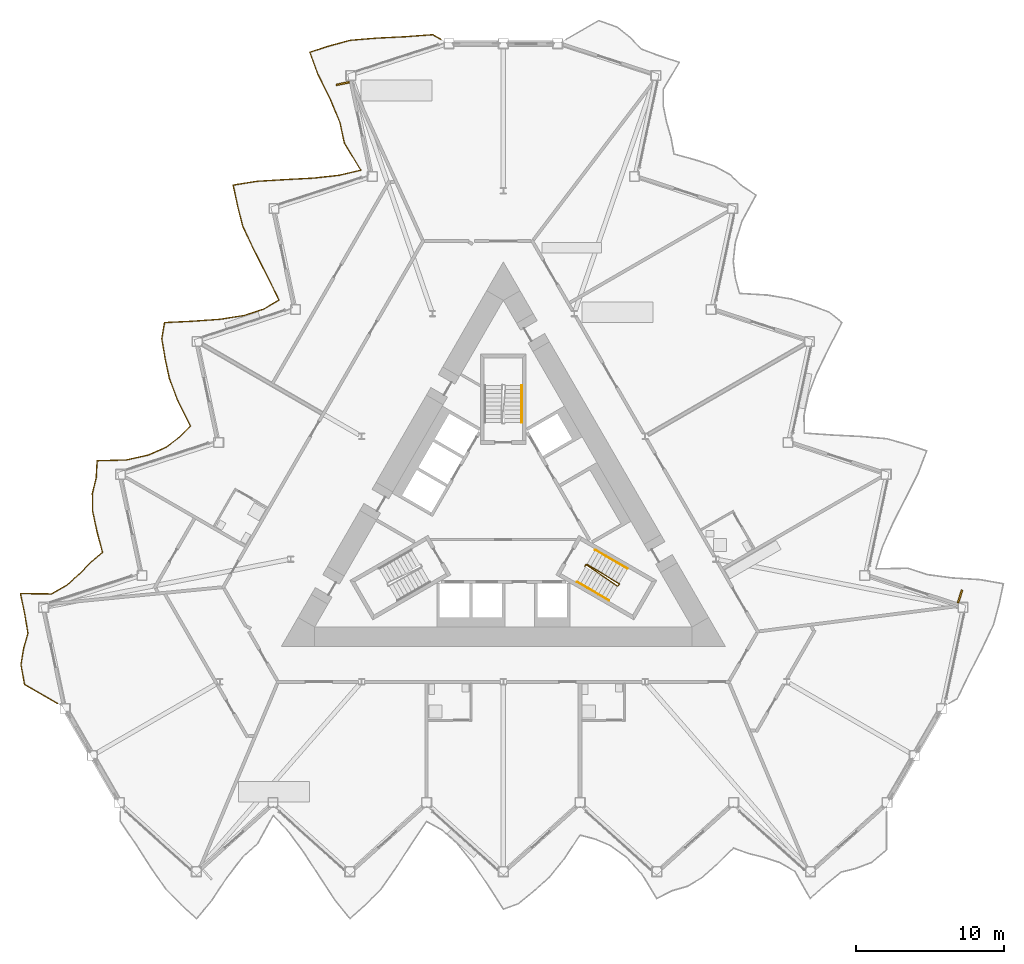
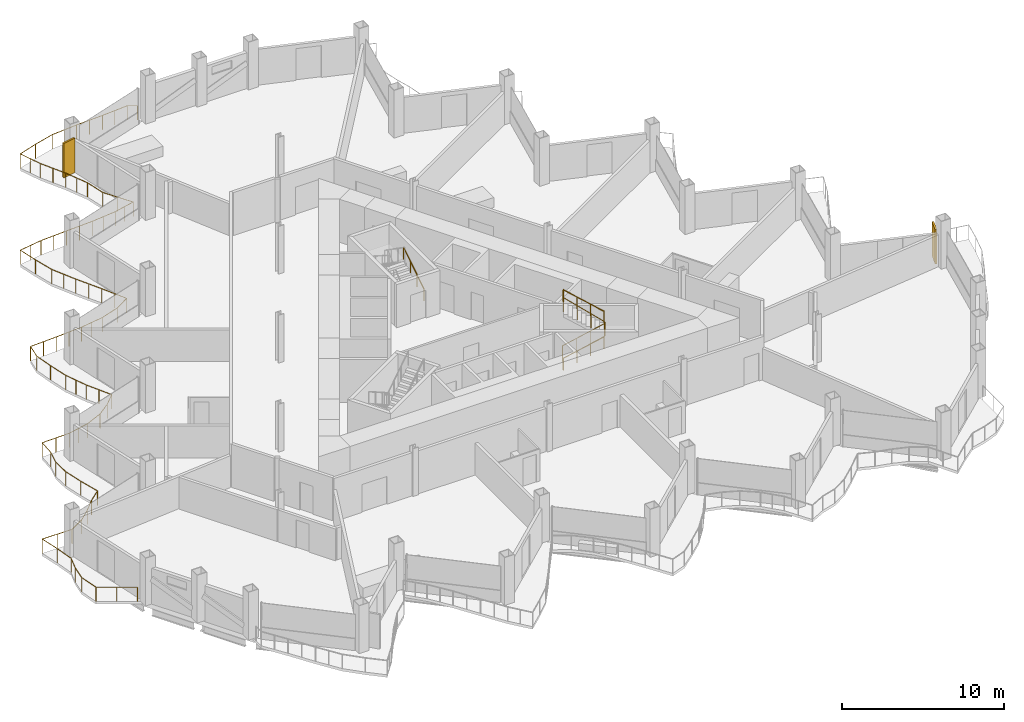
# One storey, part 20 of 23: 5 railings, 2 shading devices.
"""IFC4 building model written with IfcOpenShell, lengths in metres."""

from ifc_helpers import new_model, si_unit, direction, frame, origin, origin_2d, place, context, subcontext, project, spatial, rectangle, circle, extrude, material, layer, layer_set, type_object, element, save


model = new_model("IFC4")

# Units and contexts
model_context = context("Model", 3, precision=1e-05, world=origin(), true_north=direction((0.0, 1.0)))
body_context = subcontext(model_context, "Body", "Model", "MODEL_VIEW")
ifc_project = project(units=[si_unit("LENGTHUNIT", "METRE"), si_unit("AREAUNIT", "SQUARE_METRE"), si_unit("VOLUMEUNIT", "CUBIC_METRE"), si_unit("PLANEANGLEUNIT", "RADIAN"), si_unit("MASSUNIT", "GRAM", prefix="KILO")], contexts=[model_context])

# Site, building, storey
site_placement = place(None, origin())
site = spatial("IfcSite", under=ifc_project, at=site_placement, CompositionType="ELEMENT")
building_placement = place(site_placement, origin())
building = spatial("IfcBuilding", under=site, at=building_placement, Name="Cormorant Prow Tower", CompositionType="ELEMENT")
storey_placement = place(building_placement, frame((0.0, 0.0, 267.0)))
storey = spatial("IfcBuildingStorey", under=building, at=storey_placement, Name="L60", CompositionType="ELEMENT", Elevation=267.0)

# Railings
ifc_material_1 = material(Name="Aluminium 6063-T6", Category="aluminium")
railing_type_1 = type_object("IfcRailingType", Name="Balcony guard 1100", PredefinedType="GUARDRAIL", material=ifc_material_1)
railing_1_placement = place(storey_placement, frame((-4.221923828125, 32.35986328125, 0.0)))
element("IfcRailing", 1, at=railing_1_placement, inside=storey, type_object=railing_type_1, Name="Balcony guard WNW", PredefinedType="GUARDRAIL", context=body_context, shape_type="SweptSolid", body=[
    extrude(circle(Radius=0.02392578125, at=origin_2d()), frame((0.0, 0.0, 1.076171875), z_axis=(-0.866038622153, 0.499977104415, 0.0), x_axis=(-0.499977104415, -0.866038622153, 0.0)), (0.0, 0.0, 1.0), 0.63623046875),
    extrude(circle(Radius=0.02392578125, at=origin_2d()), frame((-0.551025390625, 0.318115234375, 1.076171875), z_axis=(-0.997252183706, -0.07408159079, 0.0), x_axis=(0.07408159079, -0.997252183706, 0.0)), (0.0, 0.0, 1.0), 1.84228515625),
    extrude(circle(Radius=0.02392578125, at=origin_2d()), frame((-2.38818359375, 0.181640625, 1.076171875), z_axis=(-0.998818248783, -0.048601500994, 0.0), x_axis=(0.048601500994, -0.998818248783, 0.0)), (0.0, 0.0, 1.0), 1.913818359375),
    extrude(circle(Radius=0.02392578125, at=origin_2d()), frame((-4.2998046875, 0.088623046875, 1.076171875), z_axis=(-0.996651256023, -0.081769639028, 0.0), x_axis=(0.081769639028, -0.996651256023, 0.0)), (0.0, 0.0, 1.0), 1.8212890625),
    extrude(circle(Radius=0.02392578125, at=origin_2d()), frame((-6.114990234375, -0.060302734375, 1.076171875), z_axis=(-0.966057905436, -0.258325614961, 0.0), x_axis=(0.258325614961, -0.966057905436, 0.0)), (0.0, 0.0, 1.0), 1.466796875),
    extrude(circle(Radius=0.02392578125, at=origin_2d()), frame((-7.531982421875, -0.439208984375, 1.076171875), z_axis=(-0.951071368511, -0.308971280217, 0.0), x_axis=(0.308971280217, -0.951071368511, 0.0)), (0.0, 0.0, 1.0), 1.394775390625),
    extrude(circle(Radius=0.02392578125, at=origin_2d()), frame((-8.8583984375, -0.8701171875, 1.076171875), z_axis=(0.342301918831, -0.939590015041, 0.0), x_axis=(0.939590015041, 0.342301918831, 0.0)), (0.0, 0.0, 1.0), 1.61328125),
    extrude(circle(Radius=0.02392578125, at=origin_2d()), frame((-8.30615234375, -2.385986328125, 1.076171875), z_axis=(0.445808104331, -0.89512855731, 0.0), x_axis=(0.89512855731, 0.445808104331, 0.0)), (0.0, 0.0, 1.0), 1.876708984375),
    extrude(circle(Radius=0.02392578125, at=origin_2d()), frame((-7.469482421875, -4.06591796875, 1.076171875), z_axis=(0.382127870627, -0.924109458068, 0.0), x_axis=(0.924109458068, 0.382127870627, 0.0)), (0.0, 0.0, 1.0), 1.701416015625),
    extrude(circle(Radius=0.02392578125, at=origin_2d()), frame((-6.8193359375, -5.63818359375, 1.076171875), z_axis=(0.207950868925, -0.97813927235, 0.0), x_axis=(0.97813927235, 0.207950868925, 0.0)), (0.0, 0.0, 1.0), 1.394775390625),
    extrude(circle(Radius=0.02392578125, at=origin_2d()), frame((-6.529296875, -7.00244140625, 1.076171875), z_axis=(0.517516055805, -0.855673496133, 0.0), x_axis=(0.855673496133, 0.517516055805, 0.0)), (0.0, 0.0, 1.0), 2.1494140625),
    extrude(circle(Radius=0.02392578125, at=origin_2d()), frame((-5.4169921875, -8.841552734375, 1.076171875), z_axis=(-0.973480606054, -0.228769555748, 0.0), x_axis=(0.228769555748, -0.973480606054, 0.0)), (0.0, 0.0, 1.0), 1.51318359375),
    extrude(circle(Radius=0.02392578125, at=origin_2d()), frame((-6.89013671875, -9.187744140625, 1.076171875), z_axis=(-0.994245905296, -0.107121798908, 0.0), x_axis=(0.107121798908, -0.994245905296, 0.0)), (0.0, 0.0, 1.0), 1.757080078125),
    extrude(circle(Radius=0.02392578125, at=origin_2d()), frame((-8.63720703125, -9.3759765625, 1.076171875), z_axis=(-0.998577796934, -0.053314008199, 0.0), x_axis=(0.053314008199, -0.998577796934, 0.0)), (0.0, 0.0, 1.0), 1.900390625),
    extrude(circle(Radius=0.02392578125, at=origin_2d()), frame((-10.534912109375, -9.477294921875, 1.076171875), z_axis=(-0.998269008558, -0.058813149479, 0.0), x_axis=(0.058813149479, -0.998269008558, 0.0)), (0.0, 0.0, 1.0), 1.884521484375),
    extrude(circle(Radius=0.02392578125, at=origin_2d()), frame((-12.416259765625, -9.588134765625, 1.076171875), z_axis=(-0.987578213313, -0.157128204312, 0.0), x_axis=(0.157128204312, -0.987578213313, 0.0)), (0.0, 0.0, 1.0), 1.6455078125),
    extrude(circle(Radius=0.02392578125, at=origin_2d()), frame((-14.041259765625, -9.8466796875, 1.076171875), z_axis=(0.207915270313, -0.978146839882, 0.0), x_axis=(0.978146839882, 0.207915270313, 0.0)), (0.0, 0.0, 1.0), 1.39501953125),
    extrude(circle(Radius=0.02392578125, at=origin_2d()), frame((-13.751220703125, -11.211181640625, 1.076171875), z_axis=(0.244007487503, -0.969773347769, 0.0), x_axis=(0.969773347769, 0.244007487503, 0.0)), (0.0, 0.0, 1.0), 1.44384765625),
    extrude(circle(Radius=0.02392578125, at=origin_2d()), frame((-13.39892578125, -12.611328125, 1.076171875), z_axis=(0.423018509945, -0.906121040614, 0.0), x_axis=(0.906121040614, 0.423018509945, 0.0)), (0.0, 0.0, 1.0), 1.80810546875),
    extrude(circle(Radius=0.02392578125, at=origin_2d()), frame((-12.634033203125, -14.249755859375, 1.076171875), z_axis=(0.456837444152, -0.88955019511, 0.0), x_axis=(0.88955019511, 0.456837444152, 0.0)), (0.0, 0.0, 1.0), 1.91259765625),
    extrude(circle(Radius=0.02392578125, at=origin_2d()), frame((-11.76025390625, -15.951171875, 1.076171875), z_axis=(0.438179627249, -0.898887431364, 0.0), x_axis=(0.898887431364, 0.438179627249, 0.0)), (0.0, 0.0, 1.0), 1.85302734375),
    extrude(circle(Radius=0.02392578125, at=origin_2d()), frame((-10.9482421875, -17.616943359375, 1.076171875), z_axis=(-0.85867024724, -0.51252844458, 0.0), x_axis=(0.51252844458, -0.85867024724, 0.0)), (0.0, 0.0, 1.0), 1.18701171875),
    extrude(circle(Radius=0.02392578125, at=origin_2d()), frame((-11.967529296875, -18.225341796875, 1.076171875), z_axis=(-0.950525193009, -0.310647481006, 0.0), x_axis=(0.310647481006, -0.950525193009, 0.0)), (0.0, 0.0, 1.0), 1.392578125),
    extrude(circle(Radius=0.02392578125, at=origin_2d()), frame((-13.291259765625, -18.657958984375, 1.076171875), z_axis=(-0.987845646319, -0.155438023173, 0.0), x_axis=(0.155438023173, -0.987845646319, 0.0)), (0.0, 0.0, 1.0), 1.649169921875),
    extrude(circle(Radius=0.02392578125, at=origin_2d()), frame((-14.92041015625, -18.914306640625, 1.076171875), z_axis=(-0.997487414246, -0.070843901792, 0.0), x_axis=(0.070843901792, -0.997487414246, 0.0)), (0.0, 0.0, 1.0), 1.8505859375),
    extrude(circle(Radius=0.02392578125, at=origin_2d()), frame((-16.766357421875, -19.04541015625, 1.076171875), z_axis=(-0.998798680168, -0.049002005006, 0.0), x_axis=(0.049002005006, -0.998798680168, 0.0)), (0.0, 0.0, 1.0), 1.9130859375),
    extrude(circle(Radius=0.02392578125, at=origin_2d()), frame((-18.67724609375, -19.13916015625, 1.076171875), z_axis=(-0.170240075116, -0.985402616611, 0.0), x_axis=(0.985402616611, -0.170240075116, 0.0)), (0.0, 0.0, 1.0), 1.104248046875),
    extrude(circle(Radius=0.02392578125, at=origin_2d()), frame((-18.865234375, -20.227294921875, 1.076171875), z_axis=(0.164870602885, -0.98631520535, 0.0), x_axis=(0.98631520535, 0.164870602885, 0.0)), (0.0, 0.0, 1.0), 1.343017578125),
    extrude(circle(Radius=0.02392578125, at=origin_2d()), frame((-18.643798828125, -21.552001953125, 1.076171875), z_axis=(0.207950868925, -0.97813927235, 0.0), x_axis=(0.97813927235, 0.207950868925, 0.0)), (0.0, 0.0, 1.0), 1.394775390625),
    extrude(circle(Radius=0.02392578125, at=origin_2d()), frame((-18.353759765625, -22.916259765625, 1.076171875), z_axis=(0.354110547545, -0.935203571484, 0.0), x_axis=(0.935203571484, 0.354110547545, 0.0)), (0.0, 0.0, 1.0), 1.63818359375),
    extrude(circle(Radius=0.02392578125, at=origin_2d()), frame((-17.773681640625, -24.4482421875, 1.076171875), z_axis=(0.447628498472, -0.894219619196, 0.0), x_axis=(0.894219619196, 0.447628498472, 0.0)), (0.0, 0.0, 1.0), 1.8828125),
    extrude(circle(Radius=0.02392578125, at=origin_2d()), frame((-16.930908203125, -26.1318359375, 1.076171875), z_axis=(-0.70368148947, -0.710515560264, 0.0), x_axis=(0.710515560264, -0.70368148947, 0.0)), (0.0, 0.0, 1.0), 1.07177734375),
    extrude(circle(Radius=0.02392578125, at=origin_2d()), frame((-17.68505859375, -26.893310546875, 1.076171875), z_axis=(-0.80023383706, -0.599688090614, 0.0), x_axis=(0.599688090614, -0.80023383706, 0.0)), (0.0, 0.0, 1.0), 1.127197265625),
    extrude(circle(Radius=0.02392578125, at=origin_2d()), frame((-18.587158203125, -27.5693359375, 1.076171875), z_axis=(-0.914742173533, -0.404038062514, 0.0), x_axis=(0.404038062514, -0.914742173533, 0.0)), (0.0, 0.0, 1.0), 1.283935546875),
    extrude(circle(Radius=0.02392578125, at=origin_2d()), frame((-19.76171875, -28.088134765625, 1.076171875), z_axis=(-0.975543857854, -0.219804871198, 0.0), x_axis=(0.219804871198, -0.975543857854, 0.0)), (0.0, 0.0, 1.0), 1.5283203125),
    extrude(circle(Radius=0.02392578125, at=origin_2d()), frame((-21.252685546875, -28.424072265625, 1.076171875), z_axis=(-0.999669650933, -0.025701926073, 0.0), x_axis=(0.025701926073, -0.999669650933, 0.0)), (0.0, 0.0, 1.0), 1.9853515625),
    extrude(circle(Radius=0.02392578125, at=origin_2d()), frame((-23.2373046875, -28.47509765625, 1.076171875), z_axis=(-0.05161179347, -0.99866722324, 0.0), x_axis=(0.99866722324, -0.05161179347, 0.0)), (0.0, 0.0, 1.0), 1.16357421875),
    extrude(circle(Radius=0.02392578125, at=origin_2d()), frame((-23.29736328125, -29.63720703125, 1.076171875), z_axis=(-0.239606484682, -0.970870090434, 0.0), x_axis=(0.970870090434, -0.239606484682, 0.0)), (0.0, 0.0, 1.0), 1.0791015625),
    extrude(circle(Radius=0.02392578125, at=origin_2d()), frame((-23.555908203125, -30.684814453125, 1.076171875), z_axis=(0.016162770239, -0.999869373898, 0.0), x_axis=(0.999869373898, 0.016162770239, 0.0)), (0.0, 0.0, 1.0), 1.20849609375),
    extrude(circle(Radius=0.02392578125, at=origin_2d()), frame((-23.536376953125, -31.89306640625, 1.076171875), z_axis=(0.207783386439, -0.978174863877, 0.0), x_axis=(0.978174863877, 0.207783386439, 0.0)), (0.0, 0.0, 1.0), 1.394775390625),
    extrude(circle(Radius=0.02392578125, at=origin_2d()), frame((-23.24658203125, -33.25732421875, 1.076171875), z_axis=(0.255915517347, -0.966699150709, 0.0), x_axis=(0.966699150709, 0.255915517347, 0.0)), (0.0, 0.0, 1.0), 1.46142578125),
    extrude(circle(Radius=0.02392578125, at=origin_2d()), frame((-22.87255859375, -34.670166015625, 1.076171875), z_axis=(-0.763604840308, -0.645683860615, 0.0), x_axis=(0.645683860615, -0.763604840308, 0.0)), (0.0, 0.0, 1.0), 1.101318359375),
    extrude(circle(Radius=0.02392578125, at=origin_2d()), frame((-23.713623046875, -35.38134765625, 1.076171875), z_axis=(-0.69419056016, -0.719791265704, 0.0), x_axis=(0.719791265704, -0.69419056016, 0.0)), (0.0, 0.0, 1.0), 1.068115234375),
    extrude(circle(Radius=0.02392578125, at=origin_2d()), frame((-24.455078125, -36.150146484375, 1.076171875), z_axis=(-0.745492878941, -0.666513591346, 0.0), x_axis=(0.666513591346, -0.745492878941, 0.0)), (0.0, 0.0, 1.0), 1.09130859375),
    extrude(circle(Radius=0.02392578125, at=origin_2d()), frame((-25.2685546875, -36.87744140625, 1.076171875), z_axis=(-0.865402994616, -0.501076498062, 0.0), x_axis=(0.501076498062, -0.865402994616, 0.0)), (0.0, 0.0, 1.0), 1.196044921875),
    extrude(circle(Radius=0.02392578125, at=origin_2d()), frame((-26.3037109375, -37.476806640625, 1.076171875), z_axis=(-0.999929423443, 0.011880577992, 0.0), x_axis=(-0.011880577992, -0.999929423443, 0.0)), (0.0, 0.0, 1.0), 2.11669921875),
    extrude(circle(Radius=0.02392578125, at=origin_2d()), frame((-28.420166015625, -37.45166015625, 1.076171875), z_axis=(0.207915270313, -0.978146839882, 0.0), x_axis=(0.978146839882, 0.207915270313, 0.0)), (0.0, 0.0, 1.0), 1.39501953125),
    extrude(circle(Radius=0.02392578125, at=origin_2d()), frame((-28.130126953125, -38.816162109375, 1.076171875), z_axis=(0.162804101421, -0.986658413313, 0.0), x_axis=(0.986658413313, 0.162804101421, 0.0)), (0.0, 0.0, 1.0), 1.340576171875),
    extrude(circle(Radius=0.02392578125, at=origin_2d()), frame((-27.911865234375, -40.138916015625, 1.076171875), z_axis=(-0.273906383343, -0.961756358525, 0.0), x_axis=(0.961756358525, -0.273906383343, 0.0)), (0.0, 0.0, 1.0), 1.068603515625),
    extrude(circle(Radius=0.02392578125, at=origin_2d()), frame((-28.20458984375, -41.166748046875, 1.076171875), z_axis=(-0.15961312276, -0.987179644767, 0.0), x_axis=(0.987179644767, -0.15961312276, 0.0)), (0.0, 0.0, 1.0), 1.10888671875),
    extrude(circle(Radius=0.02392578125, at=origin_2d()), frame((-28.381591796875, -42.261474609375, 1.076171875), z_axis=(0.178426863528, -0.98395317692, 0.0), x_axis=(0.98395317692, 0.178426863528, 0.0)), (0.0, 0.0, 1.0), 1.358642578125),
    extrude(circle(Radius=0.02392578125, at=origin_2d()), frame((-28.13916015625, -43.598388671875, 1.076171875), z_axis=(0.866030548046, -0.499991089772, 0.0), x_axis=(0.499991089772, 0.866030548046, 0.0)), (0.0, 0.0, 1.0), 2.56982421875),
    extrude(circle(Radius=0.02099609375, at=origin_2d()), origin(), (0.0, 0.0, 1.0), 1.052001953125),
    extrude(circle(Radius=0.02099609375, at=origin_2d()), frame((-0.551025390625, 0.318115234375, 0.0)), (0.0, 0.0, 1.0), 1.052001953125),
    extrude(circle(Radius=0.02099609375, at=origin_2d()), frame((-1.4697265625, 0.25, 0.0)), (0.0, 0.0, 1.0), 1.052001953125),
    extrude(circle(Radius=0.02099609375, at=origin_2d()), frame((-2.38818359375, 0.181640625, 0.0)), (0.0, 0.0, 1.0), 1.052001953125),
    extrude(circle(Radius=0.02099609375, at=origin_2d()), frame((-3.343994140625, 0.13525390625, 0.0)), (0.0, 0.0, 1.0), 1.052001953125),
    extrude(circle(Radius=0.02099609375, at=origin_2d()), frame((-4.2998046875, 0.088623046875, 0.0)), (0.0, 0.0, 1.0), 1.052001953125),
    extrude(circle(Radius=0.02099609375, at=origin_2d()), frame((-5.20751953125, 0.01416015625, 0.0)), (0.0, 0.0, 1.0), 1.052001953125),
    extrude(circle(Radius=0.02099609375, at=origin_2d()), frame((-6.114990234375, -0.060302734375, 0.0)), (0.0, 0.0, 1.0), 1.052001953125),
    extrude(circle(Radius=0.02099609375, at=origin_2d()), frame((-7.531982421875, -0.439208984375, 0.0)), (0.0, 0.0, 1.0), 1.052001953125),
    extrude(circle(Radius=0.02099609375, at=origin_2d()), frame((-8.8583984375, -0.8701171875, 0.0)), (0.0, 0.0, 1.0), 1.052001953125),
    extrude(circle(Radius=0.02099609375, at=origin_2d()), frame((-8.582275390625, -1.6279296875, 0.0)), (0.0, 0.0, 1.0), 1.052001953125),
    extrude(circle(Radius=0.02099609375, at=origin_2d()), frame((-8.30615234375, -2.385986328125, 0.0)), (0.0, 0.0, 1.0), 1.052001953125),
    extrude(circle(Radius=0.02099609375, at=origin_2d()), frame((-7.8876953125, -3.22607421875, 0.0)), (0.0, 0.0, 1.0), 1.052001953125),
    extrude(circle(Radius=0.02099609375, at=origin_2d()), frame((-7.469482421875, -4.06591796875, 0.0)), (0.0, 0.0, 1.0), 1.052001953125),
    extrude(circle(Radius=0.02099609375, at=origin_2d()), frame((-7.14453125, -4.85205078125, 0.0)), (0.0, 0.0, 1.0), 1.052001953125),
    extrude(circle(Radius=0.02099609375, at=origin_2d()), frame((-6.8193359375, -5.63818359375, 0.0)), (0.0, 0.0, 1.0), 1.052001953125),
    extrude(circle(Radius=0.02099609375, at=origin_2d()), frame((-6.529296875, -7.00244140625, 0.0)), (0.0, 0.0, 1.0), 1.052001953125),
    extrude(circle(Radius=0.02099609375, at=origin_2d()), frame((-5.97314453125, -7.921875, 0.0)), (0.0, 0.0, 1.0), 1.052001953125),
    extrude(circle(Radius=0.02099609375, at=origin_2d()), frame((-5.4169921875, -8.841552734375, 0.0)), (0.0, 0.0, 1.0), 1.052001953125),
    extrude(circle(Radius=0.02099609375, at=origin_2d()), frame((-6.153564453125, -9.0146484375, 0.0)), (0.0, 0.0, 1.0), 1.052001953125),
    extrude(circle(Radius=0.02099609375, at=origin_2d()), frame((-6.89013671875, -9.187744140625, 0.0)), (0.0, 0.0, 1.0), 1.052001953125),
    extrude(circle(Radius=0.02099609375, at=origin_2d()), frame((-7.763671875, -9.28173828125, 0.0)), (0.0, 0.0, 1.0), 1.052001953125),
    extrude(circle(Radius=0.02099609375, at=origin_2d()), frame((-8.63720703125, -9.3759765625, 0.0)), (0.0, 0.0, 1.0), 1.052001953125),
    extrude(circle(Radius=0.02099609375, at=origin_2d()), frame((-9.5859375, -9.4267578125, 0.0)), (0.0, 0.0, 1.0), 1.052001953125),
    extrude(circle(Radius=0.02099609375, at=origin_2d()), frame((-10.534912109375, -9.477294921875, 0.0)), (0.0, 0.0, 1.0), 1.052001953125),
    extrude(circle(Radius=0.02099609375, at=origin_2d()), frame((-11.4755859375, -9.53271484375, 0.0)), (0.0, 0.0, 1.0), 1.052001953125),
    extrude(circle(Radius=0.02099609375, at=origin_2d()), frame((-12.416259765625, -9.588134765625, 0.0)), (0.0, 0.0, 1.0), 1.052001953125),
    extrude(circle(Radius=0.02099609375, at=origin_2d()), frame((-13.228759765625, -9.71728515625, 0.0)), (0.0, 0.0, 1.0), 1.052001953125),
    extrude(circle(Radius=0.02099609375, at=origin_2d()), frame((-14.041259765625, -9.8466796875, 0.0)), (0.0, 0.0, 1.0), 1.052001953125),
    extrude(circle(Radius=0.02099609375, at=origin_2d()), frame((-13.751220703125, -11.211181640625, 0.0)), (0.0, 0.0, 1.0), 1.052001953125),
    extrude(circle(Radius=0.02099609375, at=origin_2d()), frame((-13.39892578125, -12.611328125, 0.0)), (0.0, 0.0, 1.0), 1.052001953125),
    extrude(circle(Radius=0.02099609375, at=origin_2d()), frame((-13.0166015625, -13.4306640625, 0.0)), (0.0, 0.0, 1.0), 1.052001953125),
    extrude(circle(Radius=0.02099609375, at=origin_2d()), frame((-12.634033203125, -14.249755859375, 0.0)), (0.0, 0.0, 1.0), 1.052001953125),
    extrude(circle(Radius=0.02099609375, at=origin_2d()), frame((-12.197265625, -15.1005859375, 0.0)), (0.0, 0.0, 1.0), 1.052001953125),
    extrude(circle(Radius=0.02099609375, at=origin_2d()), frame((-11.76025390625, -15.951171875, 0.0)), (0.0, 0.0, 1.0), 1.052001953125),
    extrude(circle(Radius=0.02099609375, at=origin_2d()), frame((-11.354248046875, -16.7841796875, 0.0)), (0.0, 0.0, 1.0), 1.052001953125),
    extrude(circle(Radius=0.02099609375, at=origin_2d()), frame((-10.9482421875, -17.616943359375, 0.0)), (0.0, 0.0, 1.0), 1.052001953125),
    extrude(circle(Radius=0.02099609375, at=origin_2d()), frame((-11.967529296875, -18.225341796875, 0.0)), (0.0, 0.0, 1.0), 1.052001953125),
    extrude(circle(Radius=0.02099609375, at=origin_2d()), frame((-13.291259765625, -18.657958984375, 0.0)), (0.0, 0.0, 1.0), 1.052001953125),
    extrude(circle(Radius=0.02099609375, at=origin_2d()), frame((-14.10595703125, -18.7861328125, 0.0)), (0.0, 0.0, 1.0), 1.052001953125),
    extrude(circle(Radius=0.02099609375, at=origin_2d()), frame((-14.92041015625, -18.914306640625, 0.0)), (0.0, 0.0, 1.0), 1.052001953125),
    extrude(circle(Radius=0.02099609375, at=origin_2d()), frame((-15.84326171875, -18.97998046875, 0.0)), (0.0, 0.0, 1.0), 1.052001953125),
    extrude(circle(Radius=0.02099609375, at=origin_2d()), frame((-16.766357421875, -19.04541015625, 0.0)), (0.0, 0.0, 1.0), 1.052001953125),
    extrude(circle(Radius=0.02099609375, at=origin_2d()), frame((-17.7216796875, -19.09228515625, 0.0)), (0.0, 0.0, 1.0), 1.052001953125),
    extrude(circle(Radius=0.02099609375, at=origin_2d()), frame((-18.67724609375, -19.13916015625, 0.0)), (0.0, 0.0, 1.0), 1.052001953125),
    extrude(circle(Radius=0.02099609375, at=origin_2d()), frame((-18.865234375, -20.227294921875, 0.0)), (0.0, 0.0, 1.0), 1.052001953125),
    extrude(circle(Radius=0.02099609375, at=origin_2d()), frame((-18.643798828125, -21.552001953125, 0.0)), (0.0, 0.0, 1.0), 1.052001953125),
    extrude(circle(Radius=0.02099609375, at=origin_2d()), frame((-18.353759765625, -22.916259765625, 0.0)), (0.0, 0.0, 1.0), 1.052001953125),
    extrude(circle(Radius=0.02099609375, at=origin_2d()), frame((-18.063720703125, -23.68212890625, 0.0)), (0.0, 0.0, 1.0), 1.052001953125),
    extrude(circle(Radius=0.02099609375, at=origin_2d()), frame((-17.773681640625, -24.4482421875, 0.0)), (0.0, 0.0, 1.0), 1.052001953125),
    extrude(circle(Radius=0.02099609375, at=origin_2d()), frame((-17.352294921875, -25.2900390625, 0.0)), (0.0, 0.0, 1.0), 1.052001953125),
    extrude(circle(Radius=0.02099609375, at=origin_2d()), frame((-16.930908203125, -26.1318359375, 0.0)), (0.0, 0.0, 1.0), 1.052001953125),
    extrude(circle(Radius=0.02099609375, at=origin_2d()), frame((-17.68505859375, -26.893310546875, 0.0)), (0.0, 0.0, 1.0), 1.052001953125),
    extrude(circle(Radius=0.02099609375, at=origin_2d()), frame((-18.587158203125, -27.5693359375, 0.0)), (0.0, 0.0, 1.0), 1.052001953125),
    extrude(circle(Radius=0.02099609375, at=origin_2d()), frame((-19.76171875, -28.088134765625, 0.0)), (0.0, 0.0, 1.0), 1.052001953125),
    extrude(circle(Radius=0.02099609375, at=origin_2d()), frame((-20.50732421875, -28.256103515625, 0.0)), (0.0, 0.0, 1.0), 1.052001953125),
    extrude(circle(Radius=0.02099609375, at=origin_2d()), frame((-21.252685546875, -28.424072265625, 0.0)), (0.0, 0.0, 1.0), 1.052001953125),
    extrude(circle(Radius=0.02099609375, at=origin_2d()), frame((-22.2451171875, -28.44970703125, 0.0)), (0.0, 0.0, 1.0), 1.052001953125),
    extrude(circle(Radius=0.02099609375, at=origin_2d()), frame((-23.2373046875, -28.47509765625, 0.0)), (0.0, 0.0, 1.0), 1.052001953125),
    extrude(circle(Radius=0.02099609375, at=origin_2d()), frame((-23.29736328125, -29.63720703125, 0.0)), (0.0, 0.0, 1.0), 1.052001953125),
    extrude(circle(Radius=0.02099609375, at=origin_2d()), frame((-23.555908203125, -30.684814453125, 0.0)), (0.0, 0.0, 1.0), 1.052001953125),
    extrude(circle(Radius=0.02099609375, at=origin_2d()), frame((-23.536376953125, -31.89306640625, 0.0)), (0.0, 0.0, 1.0), 1.052001953125),
    extrude(circle(Radius=0.02099609375, at=origin_2d()), frame((-23.24658203125, -33.25732421875, 0.0)), (0.0, 0.0, 1.0), 1.052001953125),
    extrude(circle(Radius=0.02099609375, at=origin_2d()), frame((-22.87255859375, -34.670166015625, 0.0)), (0.0, 0.0, 1.0), 1.052001953125),
    extrude(circle(Radius=0.02099609375, at=origin_2d()), frame((-23.713623046875, -35.38134765625, 0.0)), (0.0, 0.0, 1.0), 1.052001953125),
    extrude(circle(Radius=0.02099609375, at=origin_2d()), frame((-24.455078125, -36.150146484375, 0.0)), (0.0, 0.0, 1.0), 1.052001953125),
    extrude(circle(Radius=0.02099609375, at=origin_2d()), frame((-25.2685546875, -36.87744140625, 0.0)), (0.0, 0.0, 1.0), 1.052001953125),
    extrude(circle(Radius=0.02099609375, at=origin_2d()), frame((-26.3037109375, -37.476806640625, 0.0)), (0.0, 0.0, 1.0), 1.052001953125),
    extrude(circle(Radius=0.02099609375, at=origin_2d()), frame((-27.36181640625, -37.46435546875, 0.0)), (0.0, 0.0, 1.0), 1.052001953125),
    extrude(circle(Radius=0.02099609375, at=origin_2d()), frame((-28.420166015625, -37.45166015625, 0.0)), (0.0, 0.0, 1.0), 1.052001953125),
    extrude(circle(Radius=0.02099609375, at=origin_2d()), frame((-28.130126953125, -38.816162109375, 0.0)), (0.0, 0.0, 1.0), 1.052001953125),
    extrude(circle(Radius=0.02099609375, at=origin_2d()), frame((-27.911865234375, -40.138916015625, 0.0)), (0.0, 0.0, 1.0), 1.052001953125),
    extrude(circle(Radius=0.02099609375, at=origin_2d()), frame((-28.20458984375, -41.166748046875, 0.0)), (0.0, 0.0, 1.0), 1.052001953125),
    extrude(circle(Radius=0.02099609375, at=origin_2d()), frame((-28.381591796875, -42.261474609375, 0.0)), (0.0, 0.0, 1.0), 1.052001953125),
    extrude(circle(Radius=0.02099609375, at=origin_2d()), frame((-28.13916015625, -43.598388671875, 0.0)), (0.0, 0.0, 1.0), 1.052001953125),
    extrude(circle(Radius=0.02099609375, at=origin_2d()), frame((-27.0263671875, -44.24072265625, 0.0)), (0.0, 0.0, 1.0), 1.052001953125),
    extrude(circle(Radius=0.02099609375, at=origin_2d()), frame((-25.91357421875, -44.88330078125, 0.0)), (0.0, 0.0, 1.0), 1.052001953125),
])
ifc_material_2 = material(Name="Stainless steel", Category="steel")
railing_type_2 = type_object("IfcRailingType", Name="Stair guard 1100", PredefinedType="GUARDRAIL", material=ifc_material_2)
railing_2_placement = place(storey_placement, frame((5.510009765625, -3.267822265625, 0.0)))
element("IfcRailing", 2, at=railing_2_placement, inside=storey, type_object=railing_type_2, Name="L60 ST2 stair guard 1", PredefinedType="GUARDRAIL", context=body_context, shape_type="SweptSolid", body=[
    extrude(circle(Radius=0.02392578125, at=origin_2d()), frame((0.0, 0.0, 1.076171875), z_axis=(0.501036270542, 0.865426285481, 0.0), x_axis=(-0.865426285481, 0.501036270542, 0.0)), (0.0, 0.0, 1.0), 0.150146484375),
    extrude(circle(Radius=0.02392578125, at=origin_2d()), frame((0.0751953125, 0.1298828125, 1.076171875), z_axis=(0.676058237057, -0.463829066155, 0.572545070276), x_axis=(0.565732651216, 0.824588726183, 0.0)), (0.0, 0.0, 1.0), 3.14404296875),
    extrude(circle(Radius=0.02392578125, at=origin_2d()), frame((2.20068359375, -1.328369140625, 2.8759765625), z_axis=(0.695164929852, 0.718850276695, 0.0), x_axis=(-0.718850276695, 0.695164929852, 0.0)), (0.0, 0.0, 1.0), 0.2060546875),
    extrude(circle(Radius=0.02392578125, at=origin_2d()), frame((2.343994140625, -1.18017578125, 2.8759765625), z_axis=(-0.70127624584, 0.423301980654, 0.573608804147), x_axis=(-0.516770599887, -0.856123908726, 0.0)), (0.0, 0.0, 1.0), 3.13818359375),
    extrude(circle(Radius=0.02099609375, at=origin_2d()), origin(), (0.0, 0.0, 1.0), 1.052001953125),
    extrude(circle(Radius=0.02099609375, at=origin_2d()), frame((0.0751953125, 0.1298828125, 0.0)), (0.0, 0.0, 1.0), 1.052001953125),
    extrude(circle(Radius=0.02099609375, at=origin_2d()), frame((0.78369140625, -0.356201171875, 0.60009765625)), (0.0, 0.0, 1.0), 1.052001953125),
    extrude(circle(Radius=0.02099609375, at=origin_2d()), frame((1.4921875, -0.84228515625, 1.199951171875)), (0.0, 0.0, 1.0), 1.052001953125),
    extrude(circle(Radius=0.02099609375, at=origin_2d()), frame((2.20068359375, -1.328369140625, 1.800048828125)), (0.0, 0.0, 1.0), 1.052001953125),
    extrude(circle(Radius=0.02099609375, at=origin_2d()), frame((2.343994140625, -1.18017578125, 1.800048828125)), (0.0, 0.0, 1.0), 1.052001953125),
    extrude(circle(Radius=0.02099609375, at=origin_2d()), frame((1.6103515625, -0.7373046875, 2.400146484375)), (0.0, 0.0, 1.0), 1.052001953125),
    extrude(circle(Radius=0.02099609375, at=origin_2d()), frame((0.876953125, -0.294677734375, 3.0)), (0.0, 0.0, 1.0), 1.052001953125),
    extrude(circle(Radius=0.02099609375, at=origin_2d()), frame((0.143310546875, 0.148193359375, 3.60009765625)), (0.0, 0.0, 1.0), 1.052001953125),
])
ifc_material_3 = material(Name="Stainless steel", Category="steel")
railing_type_3 = type_object("IfcRailingType", Name="Stair handrail 900", PredefinedType="HANDRAIL", material=ifc_material_3)
railing_3_placement = place(storey_placement, frame((4.968994140625, -4.30517578125, 0.179931640625)))
element("IfcRailing", 3, at=railing_3_placement, inside=storey, type_object=railing_type_3, Name="L60 ST2 stair handrail 1", PredefinedType="HANDRAIL", context=body_context, shape_type="SweptSolid", body=[
    extrude(circle(Radius=0.02392578125, at=origin_2d()), frame((0.0, 0.0, 0.8759765625), z_axis=(0.728463801763, -0.420584145978, 0.540785970299), x_axis=(0.500004791531, 0.866022637375, 0.0)), (0.0, 0.0, 1.0), 2.995849609375),
    extrude(circle(Radius=0.02099609375, at=origin_2d()), origin(), (0.0, 0.0, 1.0), 0.851806640625),
    extrude(circle(Radius=0.02099609375, at=origin_2d()), frame((0.7275390625, -0.419921875, 0.5400390625)), (0.0, 0.0, 1.0), 0.851806640625),
    extrude(circle(Radius=0.02099609375, at=origin_2d()), frame((1.454833984375, -0.840087890625, 1.080078125)), (0.0, 0.0, 1.0), 0.851806640625),
    extrude(circle(Radius=0.02099609375, at=origin_2d()), frame((2.182373046875, -1.260009765625, 1.6201171875)), (0.0, 0.0, 1.0), 0.851806640625),
])
railing_4_placement = place(storey_placement, frame((8.395263671875, -3.41064453125, 1.97998046875)))
element("IfcRailing", 4, at=railing_4_placement, inside=storey, type_object=railing_type_3, Name="L60 ST2 stair handrail 2", PredefinedType="HANDRAIL", context=body_context, shape_type="SweptSolid", body=[
    extrude(circle(Radius=0.02392578125, at=origin_2d()), frame((0.0, 0.0, 0.8759765625), z_axis=(-0.728463801763, 0.420584145978, 0.540785970299), x_axis=(-0.500004791531, -0.866022637375, 0.0)), (0.0, 0.0, 1.0), 2.995849609375),
    extrude(circle(Radius=0.02099609375, at=origin_2d()), origin(), (0.0, 0.0, 1.0), 0.851806640625),
    extrude(circle(Radius=0.02099609375, at=origin_2d()), frame((-0.7275390625, 0.419921875, 0.5400390625)), (0.0, 0.0, 1.0), 0.851806640625),
    extrude(circle(Radius=0.02099609375, at=origin_2d()), frame((-1.454833984375, 0.840087890625, 1.080078125)), (0.0, 0.0, 1.0), 0.851806640625),
    extrude(circle(Radius=0.02099609375, at=origin_2d()), frame((-2.182373046875, 1.260009765625, 1.6201171875)), (0.0, 0.0, 1.0), 0.851806640625),
])
railing_5_placement = place(storey_placement, frame((1.243896484375, 6.455810546875, 0.179931640625)))
element("IfcRailing", 5, at=railing_5_placement, inside=storey, type_object=railing_type_3, Name="L60 ST3 stair handrail 1", PredefinedType="HANDRAIL", context=body_context, shape_type="SweptSolid", body=[
    extrude(circle(Radius=0.02392578125, at=origin_2d()), frame((0.0, 0.0, 0.8759765625), z_axis=(0.0, 0.841162588446, 0.540782303519), x_axis=(-1.0, 0.0, 0.0)), (0.0, 0.0, 1.0), 2.995849609375),
    extrude(circle(Radius=0.02099609375, at=origin_2d()), origin(), (0.0, 0.0, 1.0), 0.851806640625),
    extrude(circle(Radius=0.02099609375, at=origin_2d()), frame((0.0, 0.840087890625, 0.5400390625)), (0.0, 0.0, 1.0), 0.851806640625),
    extrude(circle(Radius=0.02099609375, at=origin_2d()), frame((0.0, 1.679931640625, 1.080078125)), (0.0, 0.0, 1.0), 0.851806640625),
    extrude(circle(Radius=0.02099609375, at=origin_2d()), frame((0.0, 2.52001953125, 1.6201171875)), (0.0, 0.0, 1.0), 0.851806640625),
])

# Shading devices
ifc_material_4 = material(Name="Terracotta", Category="masonry")
ifc_layer = layer(ifc_material_4, 0.1201171875)
ifc_layer_set = layer_set([ifc_layer], Name="Terracotta")
shading_device_type = type_object("IfcShadingDeviceType", Name="Terracotta baguette fin 120x900x2600", PredefinedType="USERDEFINED", material=ifc_layer_set)
for number, where, z_axis, x_axis, name in (
    (6, (30.86181640625, -5.29052734375, 0.0), (0.0, 0.0, 1.0), (-0.951056515173, 0.309016997828, 0.0), "Baguette fin ENE01"),
    (7, (-10.84912109375, 29.372314453125, 0.0), (0.0, 0.0, 1.0), (0.20791160988, -0.978147617938, 0.0), "Baguette fin WNW01"),
):
    element("IfcShadingDevice", number, at=place(storey_placement, frame(where, z_axis=z_axis, x_axis=x_axis)), inside=storey, type_object=shading_device_type, Name=name, ObjectType="BAGUETTE", PredefinedType="USERDEFINED", context=body_context, shape_type="SweptSolid", body=[
        extrude(rectangle(XDim=0.1201171875, YDim=0.89990234375, at=origin_2d()), origin(), (0.0, 0.0, 1.0), 2.60009765625),
    ])

save(model, "model.ifc")
